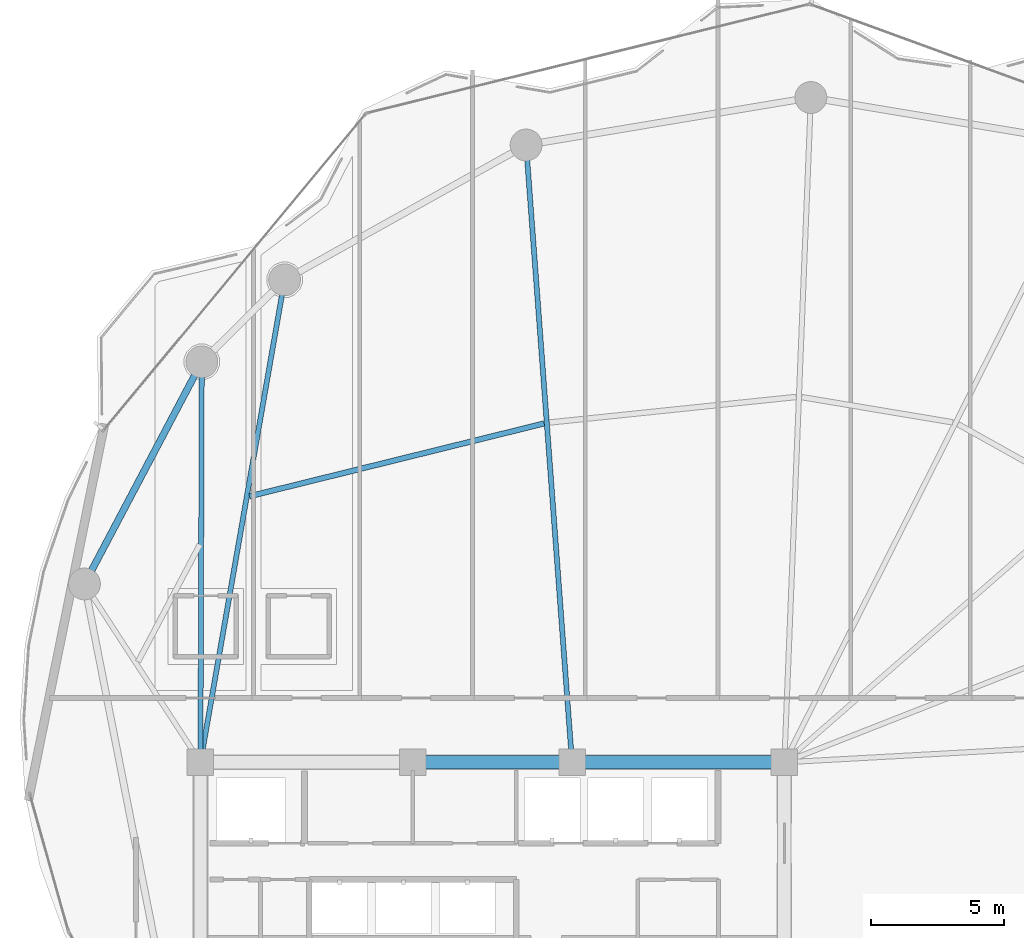
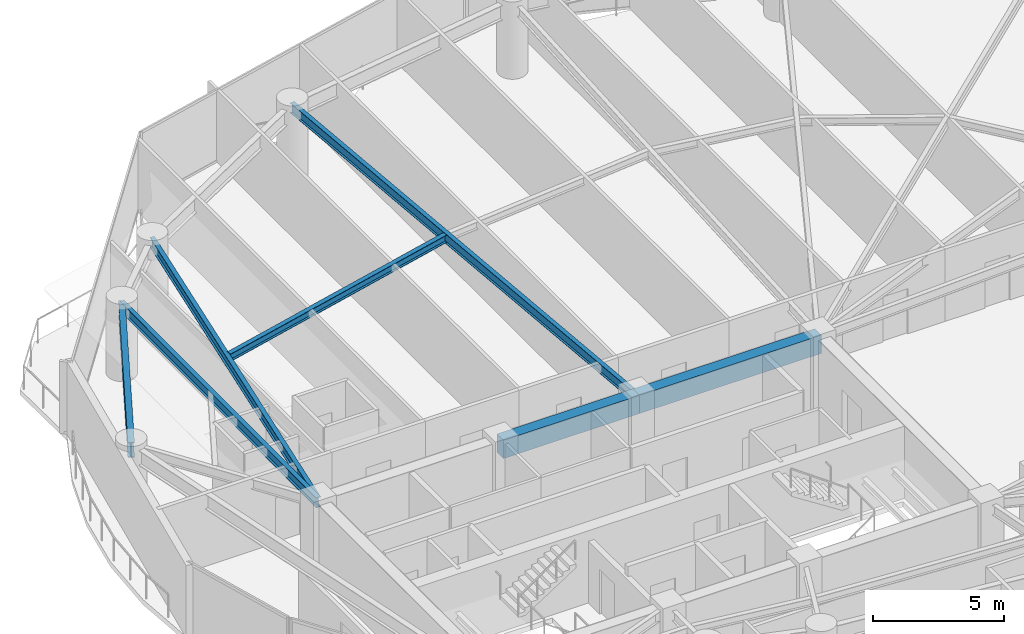
# One storey, part 8 of 28: 7 beams.
"""IFC4 building model written with IfcOpenShell, lengths in metres."""

import ifcopenshell
import ifcopenshell.guid

model = None  # the IFC model being written
_history = None  # IfcOwnerHistory: only IFC2X3 demands one
_inside = {}  # id of a spatial element -> (the spatial element, [elements in it])
_under = {}  # id of a project, library or spatial element -> (it, [spatial elements below it])
_declared = {}  # id of a project -> (the project, [libraries it declares])
_typed = {}  # id of a type object -> (the type object, [elements of that type])
_made_of = {}  # id of a material, layer set ... -> (it, [elements and type objects made of it])


def new_model(schema):
    """Start an empty IFC model of exactly this schema.

    Asked for "IFC4X3", IfcOpenShell would pick the latest addendum, in which some entities
    have other attributes; the version numbers below select the first issue.
    IFC2X3 requires an IfcOwnerHistory on every rooted entity: one is made here for all.
    """
    global model, _history
    if schema == "IFC4X3":
        model = ifcopenshell.file(schema_version=(4, 3, 0, 0))
    else:
        model = ifcopenshell.file(schema=schema)
    _inside.clear()
    _under.clear()
    _declared.clear()
    _typed.clear()
    _made_of.clear()
    _history = None
    if model.schema == "IFC2X3":
        org = make("IfcOrganization", Name="unknown")
        user = make(
            "IfcPersonAndOrganization",
            ThePerson=make("IfcPerson", FamilyName="unknown"),
            TheOrganization=org,
        )
        app = make(
            "IfcApplication",
            ApplicationDeveloper=org,
            Version="unknown",
            ApplicationFullName="unknown",
            ApplicationIdentifier="unknown",
        )
        _history = make(
            "IfcOwnerHistory",
            OwningUser=user,
            OwningApplication=app,
            ChangeAction="ADDED",
            CreationDate=0,
        )
    return model


def make(cls, **values):
    """One entity of the class cls with the attributes given. An attribute that is None is left unset."""
    return model.create_entity(
        cls, **{name: value for name, value in values.items() if value is not None}
    )


def rooted(cls, **values):
    """An entity with a GlobalId (a new one), such as an element, a storey or a relation."""
    return make(cls, GlobalId=ifcopenshell.guid.new(), OwnerHistory=_history, **values)


def si_unit(unit_type, name, prefix=None):
    """IfcSIUnit, for example si_unit("LENGTHUNIT", "METRE", prefix="MILLI")."""
    return make("IfcSIUnit", UnitType=unit_type, Prefix=prefix, Name=name)


def assignment(units):
    """IfcUnitAssignment: the units of a project."""
    return None if units is None else make("IfcUnitAssignment", Units=units)


def point(xyz):
    """IfcCartesianPoint."""
    return None if xyz is None else make("IfcCartesianPoint", Coordinates=xyz)


def direction(xyz):
    """IfcDirection."""
    return None if xyz is None else make("IfcDirection", DirectionRatios=xyz)


def frame(location, z_axis=None, x_axis=None):
    """IfcAxis2Placement3D, a coordinate frame: its origin and axes. An axis left out is left unset."""
    return make(
        "IfcAxis2Placement3D",
        Location=point(location),
        Axis=direction(z_axis),
        RefDirection=direction(x_axis),
    )


def frame_2d(location, x_axis=None):
    """IfcAxis2Placement2D, a coordinate frame in the plane: its origin and x axis."""
    return make(
        "IfcAxis2Placement2D", Location=point(location), RefDirection=direction(x_axis)
    )


def origin():
    """The frame at (0, 0, 0) with its axes left unset."""
    return frame((0.0, 0.0, 0.0))


def origin_2d():
    """The frame at (0, 0) in the plane with its x axis left unset."""
    return frame_2d((0.0, 0.0))


def place(relative_to, where):
    """IfcLocalPlacement: puts the frame where relative to a parent placement (None: the world)."""
    return make(
        "IfcLocalPlacement", PlacementRelTo=relative_to, RelativePlacement=where
    )


def context(
    kind, dimensions, precision=None, world=None, true_north=None, identifier=None
):
    """IfcGeometricRepresentationContext, for example the 3D "Model" context."""
    return make(
        "IfcGeometricRepresentationContext",
        ContextIdentifier=identifier,
        ContextType=kind,
        CoordinateSpaceDimension=dimensions,
        Precision=precision,
        WorldCoordinateSystem=world,
        TrueNorth=true_north,
    )


def subcontext(parent, identifier, kind, view, scale=None):
    """IfcGeometricRepresentationSubContext, for example "Body" below "Model"."""
    return make(
        "IfcGeometricRepresentationSubContext",
        ContextIdentifier=identifier,
        ContextType=kind,
        ParentContext=parent,
        TargetScale=scale,
        TargetView=view,
    )


def project(units=None, contexts=None):
    """IfcProject with its units and contexts."""
    return rooted(
        "IfcProject",
        Name="project",
        RepresentationContexts=contexts,
        UnitsInContext=assignment(units),
    )


def spatial(cls, under=None, at=None, **own):
    """A site, building, storey or space (cls), placed at a placement, below another one or the project."""
    s = rooted(cls, ObjectPlacement=at, **own)
    if under is not None:
        _under.setdefault(under.id(), (under, []))[1].append(s)
    return s


def profile(cls, at=None, kind="AREA", **sizes):
    """A parametric profile (cls). Its sizes go by their IFC names, for example OverallWidth=200.0."""
    return make(cls, ProfileType=kind, Position=at, **sizes)


def rectangle(**sizes):
    """IfcRectangleProfileDef."""
    return profile("IfcRectangleProfileDef", **sizes)


def i_section(**sizes):
    """IfcIShapeProfileDef."""
    return profile("IfcIShapeProfileDef", **sizes)


def extrude(swept, where, along, depth):
    """IfcExtrudedAreaSolid: the profile swept, set in the frame where, extruded along a direction by depth."""
    return make(
        "IfcExtrudedAreaSolid",
        SweptArea=swept,
        Position=where,
        ExtrudedDirection=direction(along),
        Depth=depth,
    )


def shape(context_of_items, identifier, shape_type, items):
    """IfcShapeRepresentation: the items that make up one representation, for example the "Body"."""
    return make(
        "IfcShapeRepresentation",
        ContextOfItems=context_of_items,
        RepresentationIdentifier=identifier,
        RepresentationType=shape_type,
        Items=items,
    )


def material(Name=None, Category=None):
    """IfcMaterial."""
    return make("IfcMaterial", Name=Name, Category=Category)


def material_profile(
    of_material, cross_section, Name=None, Category=None, Priority=None
):
    """IfcMaterialProfile: a cross section and its material."""
    return make(
        "IfcMaterialProfile",
        Name=Name,
        Material=of_material,
        Profile=cross_section,
        Priority=Priority,
        Category=Category,
    )


def profile_set(profiles, Name=None, composite=None):
    """IfcMaterialProfileSet."""
    return make(
        "IfcMaterialProfileSet",
        Name=Name,
        MaterialProfiles=profiles,
        CompositeProfile=composite,
    )


def made_of(thing, what):
    """Note that an element or type object is made of a material, layer set ...; save() writes the relation."""
    if what is not None:
        _made_of.setdefault(what.id(), (what, []))[1].append(thing)
    return thing


def type_object(cls, material=None, **own):
    """A type object (cls), such as IfcWallType, which elements share."""
    return made_of(rooted(cls, **own), material)


def element(
    cls,
    number,
    at=None,
    inside=None,
    cuts=None,
    type_object=None,
    material=None,
    context=None,
    identifier="Body",
    shape_type=None,
    held_by="IfcProductDefinitionShape",
    body=None,
    shapes=None,
    **own,
):
    """One element of the class cls, such as IfcWall. Its Tag is "e" and its number.

    at: its placement. inside: the storey or other place that contains it. cuts: it is an
    opening in that element (IfcRelVoidsElement). A single representation is given by context,
    identifier, shape_type and body (its items); several are given by shapes. held_by: the class
    of the entity that holds the representations. save() writes the other relations.
    """
    e = rooted(cls, Tag="e%d" % number, ObjectPlacement=at, **own)
    if body is not None:
        shapes = [shape(context, identifier, shape_type, body)]
    if shapes is not None:
        e.Representation = make(held_by, Representations=shapes)
    if inside is not None:
        _inside.setdefault(inside.id(), (inside, []))[1].append(e)
    if cuts is not None:
        rooted(
            "IfcRelVoidsElement", RelatingBuildingElement=cuts, RelatedOpeningElement=e
        )
    if type_object is not None:
        _typed.setdefault(type_object.id(), (type_object, []))[1].append(e)
    return made_of(e, material)


def aggregate(whole, parts):
    """IfcRelAggregates: a whole, such as a stair, and the parts it consists of."""
    return rooted("IfcRelAggregates", RelatingObject=whole, RelatedObjects=parts)


def save(model, path):
    """Write the relations noted so far, then the file.

    IfcRelAggregates (storeys below a building ...), IfcRelContainedInSpatialStructure (elements
    in a storey), IfcRelDefinesByType, IfcRelAssociatesMaterial and IfcRelDeclares: one each for
    every whole, place, type object, material and project.
    """
    for whole, parts in _under.values():
        aggregate(whole, parts)
    for where, things in _inside.values():
        rooted(
            "IfcRelContainedInSpatialStructure",
            RelatedElements=things,
            RelatingStructure=where,
        )
    for kind, things in _typed.values():
        rooted("IfcRelDefinesByType", RelatedObjects=things, RelatingType=kind)
    for what, things in _made_of.values():
        rooted("IfcRelAssociatesMaterial", RelatedObjects=things, RelatingMaterial=what)
    for by, libraries in _declared.values():
        rooted("IfcRelDeclares", RelatingContext=by, RelatedDefinitions=libraries)
    model.write(path)


model = new_model("IFC4")

# Units and contexts
model_context = context("Model", 3, precision=1e-05, world=origin(), true_north=direction((0.0, 1.0)))
body_context = subcontext(model_context, "Body", "Model", "MODEL_VIEW")
ifc_project = project(units=[si_unit("LENGTHUNIT", "METRE"), si_unit("AREAUNIT", "SQUARE_METRE"), si_unit("VOLUMEUNIT", "CUBIC_METRE"), si_unit("PLANEANGLEUNIT", "RADIAN"), si_unit("MASSUNIT", "GRAM", prefix="KILO")], contexts=[model_context])

# Site, building, storey
site_placement = place(None, origin())
site = spatial("IfcSite", under=ifc_project, at=site_placement, CompositionType="ELEMENT")
building_placement = place(site_placement, origin())
building = spatial("IfcBuilding", under=site, at=building_placement, Name="Kazevale Care Tower and Concert Hall", CompositionType="ELEMENT")
storey_placement = place(building_placement, frame((0.0, 0.0, 106.199951171875)))
storey = spatial("IfcBuildingStorey", under=building, at=storey_placement, Name="L27", CompositionType="ELEMENT", Elevation=106.199951171875)

# Beams
ifc_material_1 = material(Name="Concrete C60", Category="concrete")
ifc_material_profile_1 = material_profile(ifc_material_1, rectangle(XDim=0.5, YDim=0.85009765625, at=origin_2d()), Name="RC-B500x850")
ifc_profile_set_1 = profile_set([ifc_material_profile_1], Name="Concrete C60")
beam_type_1 = type_object("IfcBeamType", Name="Core Coupling Beam RC500x850", PredefinedType="LINTEL", material=ifc_profile_set_1)
beam_1_placement = place(storey_placement, frame((44.0, 36.39990234375, 2.93505859375), z_axis=(-1.0, 0.0, 0.0), x_axis=(0.0, -1.0, 0.0)))
element("IfcBeam", 1, at=beam_1_placement, inside=storey, type_object=beam_type_1, Name="beam:L27:coretie:5", PredefinedType="LINTEL", context=body_context, shape_type="SweptSolid", body=[
    extrude(rectangle(XDim=0.5, YDim=0.85009765625, at=origin_2d()), origin(), (0.0, 0.0, 1.0), 8.0),
])
beam_2_placement = place(storey_placement, frame((36.0, 36.39990234375, 2.93505859375), z_axis=(-1.0, 0.0, 0.0), x_axis=(0.0, -1.0, 0.0)))
element("IfcBeam", 2, at=beam_2_placement, inside=storey, type_object=beam_type_1, Name="beam:L27:coretie:6", PredefinedType="LINTEL", context=body_context, shape_type="SweptSolid", body=[
    extrude(rectangle(XDim=0.5, YDim=0.85009765625, at=origin_2d()), origin(), (0.0, 0.0, 1.0), 6.0),
])
ifc_material_2 = material(Name="Steel ASTM A572 Gr 50", Category="steel")
ifc_material_profile_2 = material_profile(ifc_material_2, i_section(OverallWidth=0.19091796875, OverallDepth=0.4599609375, WebThickness=0.010009765625, FlangeThickness=0.01611328125, at=origin_2d()), Name="W460x82")
ifc_profile_set_2 = profile_set([ifc_material_profile_2], Name="Steel ASTM A572 Gr 50")
beam_type_2 = type_object("IfcBeamType", Name="Radial Floor Beam W460x82", PredefinedType="BEAM", material=ifc_profile_set_2)
beam_3_placement = place(storey_placement, frame((36.0, 36.39990234375, 3.130126953125), z_axis=(-0.074170876808, 0.997245547011, 0.0), x_axis=(-0.997245547011, -0.074170876808, 0.0)))
element("IfcBeam", 3, at=beam_3_placement, inside=storey, type_object=beam_type_2, Name="beam:L27:rad:06", PredefinedType="BEAM", context=body_context, shape_type="SweptSolid", body=[
    extrude(i_section(OverallWidth=0.19091796875, OverallDepth=0.4599609375, WebThickness=0.010009765625, FlangeThickness=0.01611328125, at=origin_2d()), origin(), (0.0, 0.0, 1.0), 23.32421875),
])
beam_4_placement = place(storey_placement, frame((22.0, 36.39990234375, 3.130126953125), z_axis=(0.171769935245, 0.985137091651, 0.0), x_axis=(-0.985137091651, 0.171769935245, 0.0)))
element("IfcBeam", 4, at=beam_4_placement, inside=storey, type_object=beam_type_2, Name="beam:L27:rad:07", PredefinedType="BEAM", context=body_context, shape_type="SweptSolid", body=[
    extrude(i_section(OverallWidth=0.19091796875, OverallDepth=0.4599609375, WebThickness=0.010009765625, FlangeThickness=0.01611328125, at=origin_2d()), origin(), (0.0, 0.0, 1.0), 18.454345703125),
])
beam_5_placement = place(storey_placement, frame((22.0, 36.39990234375, 3.130126953125), z_axis=(0.003316650851, 0.999994499898, 0.0), x_axis=(-0.999994499898, 0.003316650851, 0.0)))
element("IfcBeam", 5, at=beam_5_placement, inside=storey, type_object=beam_type_2, Name="beam:L27:rad:08", PredefinedType="BEAM", context=body_context, shape_type="SweptSolid", body=[
    extrude(i_section(OverallWidth=0.19091796875, OverallDepth=0.4599609375, WebThickness=0.010009765625, FlangeThickness=0.01611328125, at=origin_2d()), origin(), (0.0, 0.0, 1.0), 15.090087890625),
])
ifc_material_profile_3 = material_profile(ifc_material_2, i_section(OverallWidth=0.205078125, OverallDepth=0.35400390625, WebThickness=0.009521484375, FlangeThickness=0.016845703125, at=origin_2d()), Name="W360x79")
ifc_profile_set_3 = profile_set([ifc_material_profile_3], Name="Steel ASTM A572 Gr 50")
beam_type_3 = type_object("IfcBeamType", Name="Secondary Floor Joist W360x79", PredefinedType="JOIST", material=ifc_profile_set_3)
beam_6_placement = place(storey_placement, frame((34.947021484375, 49.16796875, 3.18310546875), z_axis=(-0.970789504014, -0.239932779954, 0.0), x_axis=(0.239932779954, -0.970789504014, 0.0)))
element("IfcBeam", 6, at=beam_6_placement, inside=storey, type_object=beam_type_3, Name="beam:L27:joist:06", PredefinedType="JOIST", context=body_context, shape_type="SweptSolid", body=[
    extrude(i_section(OverallWidth=0.205078125, OverallDepth=0.35400390625, WebThickness=0.009521484375, FlangeThickness=0.016845703125, at=origin_2d()), origin(), (0.0, 0.0, 1.0), 11.43603515625),
])
ifc_material_profile_4 = material_profile(ifc_material_2, i_section(OverallWidth=0.256103515625, OverallDepth=0.693115234375, WebThickness=0.014404296875, FlangeThickness=0.023681640625, at=origin_2d()), Name="W690x170")
ifc_profile_set_4 = profile_set([ifc_material_profile_4], Name="Steel ASTM A572 Gr 50")
beam_type_4 = type_object("IfcBeamType", Name="Waist Ring Beam W690x170", PredefinedType="BEAM", material=ifc_profile_set_4)
beam_7_placement = place(storey_placement, frame((22.050048828125, 51.489990234375, 3.013427734375), z_axis=(-0.466984438127, -0.884265533959, 0.0), x_axis=(0.884265533959, -0.466984438127, 0.0)))
element("IfcBeam", 7, at=beam_7_placement, inside=storey, type_object=beam_type_4, Name="beam:L27:ring:08", PredefinedType="BEAM", context=body_context, shape_type="SweptSolid", body=[
    extrude(i_section(OverallWidth=0.256103515625, OverallDepth=0.693115234375, WebThickness=0.014404296875, FlangeThickness=0.023681640625, at=origin_2d()), origin(), (0.0, 0.0, 1.0), 9.46533203125),
])

save(model, "model.ifc")
